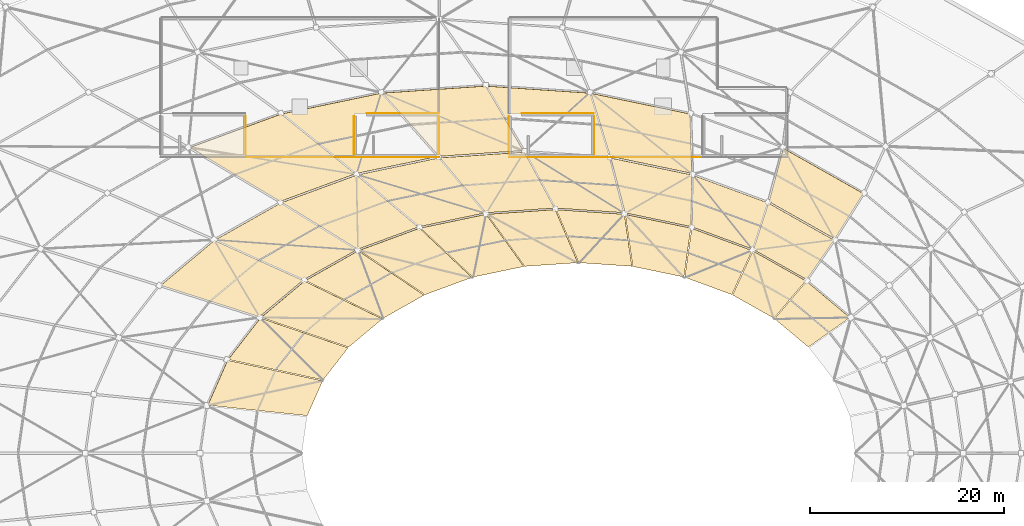
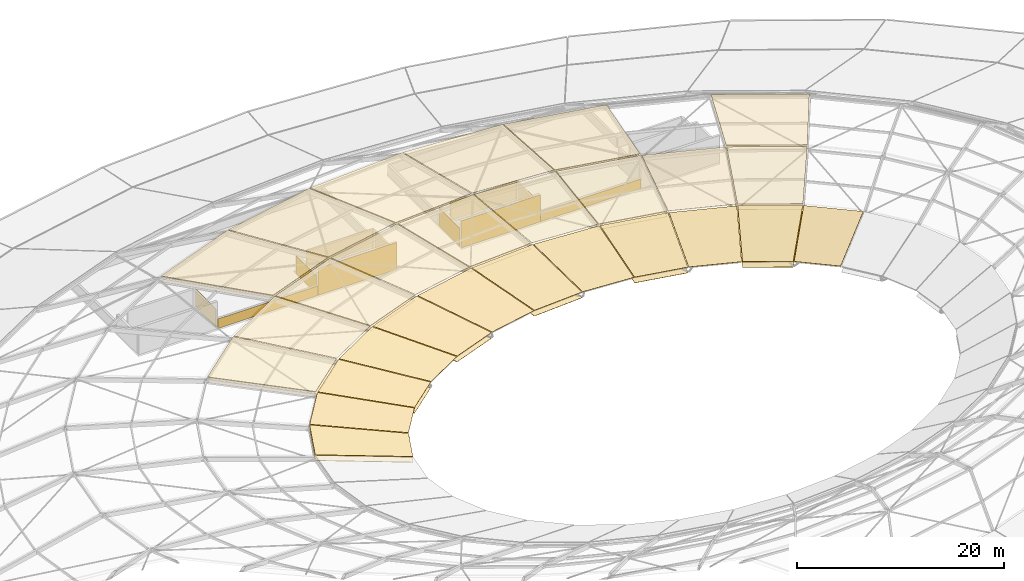
# One storey, part 27 of 30: 53 coverings.
"""IFC4 building model written with IfcOpenShell, lengths in metres."""

from ifc_helpers import new_model, si_unit, direction, frame, origin, origin_2d, place, context, subcontext, project, spatial, polyline, rectangle, outline, extrude, material, layer, layer_set, type_object, element, save


model = new_model("IFC4")

# Units and contexts
model_context = context("Model", 3, precision=1e-05, world=origin(), true_north=direction((0.0, 1.0)))
body_context = subcontext(model_context, "Body", "Model", "MODEL_VIEW")
ifc_project = project(units=[si_unit("LENGTHUNIT", "METRE"), si_unit("AREAUNIT", "SQUARE_METRE"), si_unit("VOLUMEUNIT", "CUBIC_METRE"), si_unit("PLANEANGLEUNIT", "RADIAN"), si_unit("MASSUNIT", "GRAM", prefix="KILO")], contexts=[model_context])

# Site, building, storey
site_placement = place(None, origin())
site = spatial("IfcSite", under=ifc_project, at=site_placement, CompositionType="ELEMENT")
building_placement = place(site_placement, origin())
building = spatial("IfcBuilding", under=site, at=building_placement, Name="Namkhue Oval Health Centre", CompositionType="ELEMENT")
storey_placement = place(building_placement, frame((0.0, 0.0, 26.39990234375)))
storey = spatial("IfcBuildingStorey", under=building, at=storey_placement, Name="RF", CompositionType="ELEMENT", Elevation=26.39990234375)

# Coverings
ifc_material_1 = material(Name="Slatted FSC timber acoustic soffit lining", Category="wood")
ifc_layer_1 = layer(ifc_material_1, 0.0400390625)
ifc_layer_set_1 = layer_set([ifc_layer_1], Name="Slatted FSC timber acoustic soffit lining")
covering_type_1 = type_object("IfcCoveringType", Name="SLATTED TIMBER SOFFIT CEILING 40", PredefinedType="CEILING", material=ifc_layer_set_1)
covering_1_placement = place(storey_placement, frame((130.218994140625, 86.230712890625, 6.9677734375), z_axis=(-0.177120247478, -0.313918087292, 0.932782853833), x_axis=(-0.87092771397, 0.491411148655, 4.19779e-06)))
element("IfcCovering", 1, at=covering_1_placement, inside=storey, type_object=covering_type_1, Name="Gridshell Canopy Slatted Timber Soffit K3-5", PredefinedType="CEILING", context=body_context, shape_type="SweptSolid", body=[
    extrude(outline(polyline([(0.0, 0.0), (9.51050980726129, -4.440892098500626e-16), (8.086536940117751, 5.924133848578663), (0.2538809483504548, 5.923931864339726), (0.0, 0.0)])), origin(), (0.0, 0.0, -1.0), 0.0400390625),
])
covering_2_placement = place(storey_placement, frame((112.321533203125, 94.44384765625, 6.9697265625), z_axis=(-0.068884426187, -0.330295197795, 0.941360726896), x_axis=(-0.978935809283, 0.204168267118, 2.5141e-06)))
element("IfcCovering", 2, at=covering_2_placement, inside=storey, type_object=covering_type_1, Name="Gridshell Canopy Slatted Timber Soffit K3-7", PredefinedType="CEILING", context=body_context, shape_type="SweptSolid", body=[
    extrude(outline(polyline([(0.0, 0.0), (10.479783284883998, 2.220446049250313e-16), (7.187230998112343, 6.340150402116963), (-1.4410200372893431, 6.340008021388163), (0.0, 0.0)])), origin(), (0.0, 0.0, -1.0), 0.0400390625),
])
covering_3_placement = place(storey_placement, frame((91.2021484375, 97.330078125, 6.973388671875), z_axis=(0.020032232495, -0.295824655907, 0.95503218931), x_axis=(-0.997715556857, -0.067554922842, 2.155105e-06)))
element("IfcCovering", 3, at=covering_3_placement, inside=storey, type_object=covering_type_1, Name="Gridshell Canopy Slatted Timber Soffit K3-9", PredefinedType="CEILING", context=body_context, shape_type="SweptSolid", body=[
    extrude(outline(polyline([(0.0, 0.0), (10.690192137254291, 0.0), (5.3506213840365, 7.239394380992895), (-3.4436481667676104, 7.239252759578612), (0.0, 0.0)])), origin(), (0.0, 0.0, -1.0), 0.0400390625),
])
covering_4_placement = place(storey_placement, frame((70.072509765625, 94.441650390625, 6.977783203125), z_axis=(0.085348140534, -0.232248018489, 0.96890482134), x_axis=(-0.938623823003, -0.344942486343, -2.488367e-06)))
element("IfcCovering", 4, at=covering_4_placement, inside=storey, type_object=covering_type_1, Name="Gridshell Canopy Slatted Timber Soffit K3-11", PredefinedType="CEILING", context=body_context, shape_type="SweptSolid", body=[
    extrude(outline(polyline([(0.0, 0.0), (10.06450008864426, 4.440892098500626e-16), (3.229093082578548, 8.711462279943664), (-5.042433795041574, 8.71164667990759), (0.0, 0.0)])), origin(), (0.0, 0.0, -1.0), 0.0400390625),
])
covering_5_placement = place(storey_placement, frame((127.19482421875, 81.41015625, 4.75), z_axis=(-0.273012324209, -0.483892068631, 0.831452185484), x_axis=(-0.870937658911, 0.491393522808, 5.669313e-06)))
element("IfcCovering", 5, at=covering_5_placement, inside=storey, type_object=covering_type_1, Name="Gridshell Canopy Slatted Timber Soffit K4-5", PredefinedType="CEILING", context=body_context, shape_type="SweptSolid", body=[
    extrude(outline(polyline([(0.0, 0.0), (7.785324243981882, 0.0), (6.78247193422041, 5.939281923158651), (0.4560301007518134, 5.9391379264789474), (0.0, 0.0)])), origin(), (0.0, 0.0, -1.0), 0.0400390625),
])
covering_6_placement = place(storey_placement, frame((112.515380859375, 88.142333984375, 4.752197265625), z_axis=(-0.1088721832, -0.522035672835, 0.845946572789), x_axis=(-0.978936163651, 0.204166567982, 3.917904e-06)))
element("IfcCovering", 6, at=covering_6_placement, inside=storey, type_object=covering_type_1, Name="Gridshell Canopy Slatted Timber Soffit K4-7", PredefinedType="CEILING", context=body_context, shape_type="SweptSolid", body=[
    extrude(outline(polyline([(0.0, 0.0), (8.580897430314359, 2.220446049250313e-16), (5.984340114803606, 6.196180492113777), (-0.9876888115521887, 6.196066225170458), (0.0, 0.0)])), origin(), (0.0, 0.0, -1.0), 0.0400390625),
])
covering_7_placement = place(storey_placement, frame((95.196044921875, 90.505859375, 4.756591796875), z_axis=(0.032712777374, -0.483184421132, 0.874907246153), x_axis=(-0.997715629729, -0.067553846542, -3.334021e-06)))
element("IfcCovering", 7, at=covering_7_placement, inside=storey, type_object=covering_type_1, Name="Gridshell Canopy Slatted Timber Soffit K4-9", PredefinedType="CEILING", context=body_context, shape_type="SweptSolid", body=[
    extrude(outline(polyline([(0.0, 0.0), (8.752906125914095, 1.1102230246251565e-16), (4.387007781220385, 6.840880624111212), (-2.7197954161750095, 6.840989807741197), (0.0, 0.0)])), origin(), (0.0, 0.0, -1.0), 0.0400390625),
])
covering_8_placement = place(storey_placement, frame((77.869140625, 88.13427734375, 4.762451171875), z_axis=(0.144085156752, -0.392073475259, 0.908580132736), x_axis=(-0.938625044454, -0.34493916264, 4.84726e-07)))
element("IfcCovering", 8, at=covering_8_placement, inside=storey, type_object=covering_type_1, Name="Gridshell Canopy Slatted Timber Soffit K4-11", PredefinedType="CEILING", context=body_context, shape_type="SweptSolid", body=[
    extrude(outline(polyline([(0.0, 0.0), (8.238550173627328, 0.0), (2.5613721926368394, 7.959358227829275), (-4.120719610712081, 7.959340913394452), (0.0, 0.0)])), origin(), (0.0, 0.0, -1.0), 0.0400390625),
])
covering_9_placement = place(storey_placement, frame((63.17578125, 81.383056640625, 4.768798828125), z_axis=(0.222641317726, -0.265768964512, 0.937975320114), x_axis=(-0.766555549199, -0.642178004897, -4.313344e-06)))
element("IfcCovering", 9, at=covering_9_placement, inside=storey, type_object=covering_type_1, Name="Gridshell Canopy Slatted Timber Soffit K4-13", PredefinedType="CEILING", context=body_context, shape_type="SweptSolid", body=[
    extrude(outline(polyline([(0.0, 0.0), (7.25108185449608, -4.440892098500626e-16), (1.517844104443117, 9.626121253644804), (-4.357211297351018, 9.626284556832964), (0.0, 0.0)])), origin(), (0.0, 0.0, -1.0), 0.0400390625),
])
covering_10_placement = place(storey_placement, frame((124.27734375, 77.212646484375, 1.3525390625), z_axis=(-0.259426949455, -0.459795764264, 0.849285295447), x_axis=(-0.870939596554, 0.491390088526, -7.207693e-06)))
element("IfcCovering", 10, at=covering_10_placement, inside=storey, type_object=covering_type_1, Name="Gridshell Canopy Slatted Timber Soffit K5-5", PredefinedType="CEILING", context=body_context, shape_type="SweptSolid", body=[
    extrude(outline(polyline([(0.0, 0.0), (6.283046673992098, 0.0), (5.871463940375432, 5.88129795506272), (0.9739275184778707, 5.881450599490744), (0.0, 0.0)])), origin(), (0.0, 0.0, -1.0), 0.0400390625),
])
covering_11_placement = place(storey_placement, frame((112.400146484375, 82.65576171875, 1.353271484375), z_axis=(-0.106180582631, -0.509149746942, 0.854103166521), x_axis=(-0.978938842083, 0.204153725072, 6.09815e-07)))
element("IfcCovering", 11, at=covering_11_placement, inside=storey, type_object=covering_type_1, Name="Gridshell Canopy Slatted Timber Soffit K5-7", PredefinedType="CEILING", context=body_context, shape_type="SweptSolid", body=[
    extrude(outline(polyline([(0.0, 0.0), (6.927642989434663, 0.0), (5.071703402180562, 5.972748996219179), (-0.3289017852542681, 5.972734541512029), (0.0, 0.0)])), origin(), (0.0, 0.0, -1.0), 0.0400390625),
])
covering_12_placement = place(storey_placement, frame((98.388916015625, 84.565185546875, 1.356689453125), z_axis=(0.032661854218, -0.482480760248, 0.875297389046), x_axis=(-0.997716463881, -0.067541525756, -2.47917e-07)))
element("IfcCovering", 12, at=covering_12_placement, inside=storey, type_object=covering_type_1, Name="Gridshell Canopy Slatted Timber Soffit K5-9", PredefinedType="CEILING", context=body_context, shape_type="SweptSolid", body=[
    extrude(outline(polyline([(0.0, 0.0), (7.066674180483889, -5.551115123125783e-17), (3.546631487262027, 6.437412327466541), (-1.9586152774140098, 6.437418772644493), (0.0, 0.0)])), origin(), (0.0, 0.0, -1.0), 0.0400390625),
])
covering_13_placement = place(storey_placement, frame((84.370849609375, 82.64501953125, 1.36181640625), z_axis=(0.146790671286, -0.399453773691, 0.904924959048), x_axis=(-0.938628352387, -0.34493016118, -1.954425e-06)))
element("IfcCovering", 13, at=covering_13_placement, inside=storey, type_object=covering_type_1, Name="Gridshell Canopy Slatted Timber Soffit K5-11", PredefinedType="CEILING", context=body_context, shape_type="SweptSolid", body=[
    extrude(outline(polyline([(0.0, 0.0), (6.649030885300507, 2.220446049250313e-16), (1.8521442727049306, 7.33962207953809), (-3.321296273447359, 7.33967637395152), (0.0, 0.0)])), origin(), (0.0, 0.0, -1.0), 0.0400390625),
])
covering_14_placement = place(storey_placement, frame((72.48291015625, 77.181396484375, 1.367919921875), z_axis=(0.230358929136, -0.274986653795, 0.933443680145), x_axis=(-0.76656977037, -0.642161028991, 5.12993e-07)))
element("IfcCovering", 14, at=covering_14_placement, inside=storey, type_object=covering_type_1, Name="Gridshell Canopy Slatted Timber Soffit K5-13", PredefinedType="CEILING", context=body_context, shape_type="SweptSolid", body=[
    extrude(outline(polyline([(0.0, 0.0), (5.849923167782908, 0.0), (0.8937994958497673, 8.740699406104671), (-3.651306044808486, 8.740684540689616), (0.0, 0.0)])), origin(), (0.0, 0.0, -1.0), 0.0400390625),
])
covering_15_placement = place(storey_placement, frame((64.54345703125, 69.003173828125, 1.37255859375), z_axis=(0.278693697813, -0.122959890277, 0.952476082735), x_axis=(-0.40366984771, -0.91490472402, 3.840594e-06)))
element("IfcCovering", 15, at=covering_15_placement, inside=storey, type_object=covering_type_1, Name="Gridshell Canopy Slatted Timber Soffit K5-15", PredefinedType="CEILING", context=body_context, shape_type="SweptSolid", body=[
    extrude(outline(polyline([(0.0, 0.0), (5.079723969084622, -2.220446049250313e-16), (1.9234774112954125, 10.32465123363441), (-2.0188864705533933, 10.324537482295765), (0.0, 0.0)])), origin(), (0.0, 0.0, -1.0), 0.0400390625),
])
ifc_material_2 = material(Name="Standing-seam aluminium-zinc insulated roofing", Category="aluminium")
ifc_layer_2 = layer(ifc_material_2, 0.044921875)
ifc_layer_set_2 = layer_set([ifc_layer_2], Name="Standing-seam aluminium-zinc insulated roofing")
covering_type_2 = type_object("IfcCoveringType", Name="STANDING SEAM ROOFING 45", PredefinedType="ROOFING", material=ifc_layer_set_2)
covering_16_placement = place(storey_placement, frame((130.218994140625, 86.230712890625, 7.629638671875), z_axis=(-0.177102626519, -0.313886856885, 0.932796709232), x_axis=(-0.870927713811, 0.491411148936, 4.197434e-06)))
element("IfcCovering", 16, at=covering_16_placement, inside=storey, type_object=covering_type_2, Name="Elliptical Gridshell Standing Seam Roofing K3-5", PredefinedType="ROOFING", context=body_context, shape_type="SweptSolid", body=[
    extrude(outline(polyline([(0.0, 0.0), (9.510509807261311, -4.440892098500626e-16), (8.086536940117734, 5.924045856594458), (0.25388094835049246, 5.92384386935528), (0.0, 0.0)])), origin(), (0.0, 0.0, -1.0), 0.044921875),
])
covering_17_placement = place(storey_placement, frame((112.321533203125, 94.44384765625, 7.6318359375), z_axis=(-0.068891392796, -0.33032860212, 0.94134849584), x_axis=(-0.97893580932, 0.20416826694, 2.514322e-06)))
element("IfcCovering", 17, at=covering_17_placement, inside=storey, type_object=covering_type_2, Name="Elliptical Gridshell Standing Seam Roofing K3-7", PredefinedType="ROOFING", context=body_context, shape_type="SweptSolid", body=[
    extrude(outline(polyline([(0.0, 0.0), (10.47978328488399, 2.220446049250313e-16), (7.187230998112348, 6.340232779075505), (-1.4410200372893593, 6.340090400196652), (0.0, 0.0)])), origin(), (0.0, 0.0, -1.0), 0.044921875),
])
covering_18_placement = place(storey_placement, frame((101.969970703125, 96.601318359375, 7.633544921875), z_axis=(-0.021522432169, -0.317903842789, 0.947878648168), x_axis=(-0.997716498183, 0.067541019021, -1.831631e-06)))
element("IfcCovering", 18, at=covering_18_placement, inside=storey, type_object=covering_type_2, Name="Elliptical Gridshell Standing Seam Roofing K3-8", PredefinedType="ROOFING", context=body_context, shape_type="SweptSolid", body=[
    extrude(outline(polyline([(0.0, 0.0), (10.692384384487783, 0.0), (6.356193258122295, 6.725042088609099), (-2.4439387744621754, 6.725154139944999), (0.0, 0.0)])), origin(), (0.0, 0.0, -1.0), 0.044921875),
])
covering_19_placement = place(storey_placement, frame((91.2021484375, 97.330078125, 7.635498046875), z_axis=(0.020034310618, -0.295855344444, 0.955022639293), x_axis=(-0.997715556848, -0.067554922981, 2.155307e-06)))
element("IfcCovering", 19, at=covering_19_placement, inside=storey, type_object=covering_type_2, Name="Elliptical Gridshell Standing Seam Roofing K3-9", PredefinedType="ROOFING", context=body_context, shape_type="SweptSolid", body=[
    extrude(outline(polyline([(0.0, 0.0), (10.690192137254286, 1.1102230246251565e-16), (5.350621384036503, 7.239466772575852), (-3.443648166767624, 7.239325152577738), (0.0, 0.0)])), origin(), (0.0, 0.0, -1.0), 0.044921875),
])
covering_20_placement = place(storey_placement, frame((80.431640625, 96.60107421875, 7.6376953125), z_axis=(0.055615872414, -0.266680895987, 0.962178868221), x_axis=(-0.978940117668, -0.204147608395, 2.433606e-06)))
element("IfcCovering", 20, at=covering_20_placement, inside=storey, type_object=covering_type_2, Name="Elliptical Gridshell Standing Seam Roofing K3-10", PredefinedType="ROOFING", context=body_context, shape_type="SweptSolid", body=[
    extrude(outline(polyline([(0.0, 0.0), (10.473748260753041, 0.0), (4.265653118030266, 7.896430032824828), (-4.346415050667734, 7.896259532778406), (0.0, 0.0)])), origin(), (0.0, 0.0, -1.0), 0.044921875),
])
covering_21_placement = place(storey_placement, frame((70.072509765625, 94.441650390625, 7.639892578125), z_axis=(0.085348140534, -0.232248018489, 0.96890482134), x_axis=(-0.938623823003, -0.344942486343, -2.488367e-06)))
element("IfcCovering", 21, at=covering_21_placement, inside=storey, type_object=covering_type_2, Name="Elliptical Gridshell Standing Seam Roofing K3-11", PredefinedType="ROOFING", context=body_context, shape_type="SweptSolid", body=[
    extrude(outline(polyline([(0.0, 0.0), (10.06450008864426, 4.440892098500626e-16), (3.229093082578548, 8.711462279943664), (-5.042433795041574, 8.71164667990759), (0.0, 0.0)])), origin(), (0.0, 0.0, -1.0), 0.044921875),
])
covering_22_placement = place(storey_placement, frame((127.19482421875, 81.41015625, 5.4169921875), z_axis=(-0.273012324209, -0.483892068631, 0.831452185484), x_axis=(-0.870937658911, 0.491393522808, 5.669313e-06)))
element("IfcCovering", 22, at=covering_22_placement, inside=storey, type_object=covering_type_2, Name="Elliptical Gridshell Standing Seam Roofing K4-5", PredefinedType="ROOFING", context=body_context, shape_type="SweptSolid", body=[
    extrude(outline(polyline([(0.0, 0.0), (7.785324243981882, 0.0), (6.78247193422041, 5.939281923158651), (0.4560301007518134, 5.9391379264789474), (0.0, 0.0)])), origin(), (0.0, 0.0, -1.0), 0.044921875),
])
covering_23_placement = place(storey_placement, frame((120.337890625, 85.272216796875, 5.417724609375), z_axis=(-0.189065933448, -0.514507881399, 0.836382515831), x_axis=(-0.938631755363, 0.344920900821, 1.474134e-06)))
element("IfcCovering", 23, at=covering_23_placement, inside=storey, type_object=covering_type_2, Name="Elliptical Gridshell Standing Seam Roofing K4-6", PredefinedType="ROOFING", context=body_context, shape_type="SweptSolid", body=[
    extrude(outline(polyline([(0.0, 0.0), (8.246037850297384, 4.440892098500626e-16), (6.5050167853470775, 6.022624898642333), (-0.19599300016887042, 6.022584701418643), (0.0, 0.0)])), origin(), (0.0, 0.0, -1.0), 0.044921875),
])
covering_24_placement = place(storey_placement, frame((112.515380859375, 88.142333984375, 5.419189453125), z_axis=(-0.1088721832, -0.522035672835, 0.845946572789), x_axis=(-0.978936163651, 0.204166567982, 3.917904e-06)))
element("IfcCovering", 24, at=covering_24_placement, inside=storey, type_object=covering_type_2, Name="Elliptical Gridshell Standing Seam Roofing K4-7", PredefinedType="ROOFING", context=body_context, shape_type="SweptSolid", body=[
    extrude(outline(polyline([(0.0, 0.0), (8.580897430314359, 2.220446049250313e-16), (5.984340114803606, 6.196180492113777), (-0.9876888115521887, 6.196066225170458), (0.0, 0.0)])), origin(), (0.0, 0.0, -1.0), 0.044921875),
])
covering_25_placement = place(storey_placement, frame((104.026123046875, 89.909912109375, 5.421142578125), z_axis=(-0.034559495588, -0.510449260463, 0.859213124759), x_axis=(-0.997716461336, 0.067541563189, -4.698094e-06)))
element("IfcCovering", 25, at=covering_25_placement, inside=storey, type_object=covering_type_2, Name="Elliptical Gridshell Standing Seam Roofing K4-8", PredefinedType="ROOFING", context=body_context, shape_type="SweptSolid", body=[
    extrude(outline(polyline([(0.0, 0.0), (8.755098373087911, -1.1102230246251565e-16), (5.2586157075549265, 6.465921543600573), (-1.8528485492051936, 6.466067243359532), (0.0, 0.0)])), origin(), (0.0, 0.0, -1.0), 0.044921875),
])
covering_26_placement = place(storey_placement, frame((95.196044921875, 90.505859375, 5.423583984375), z_axis=(0.032712777374, -0.483184421132, 0.874907246153), x_axis=(-0.997715629729, -0.067553846542, -3.334021e-06)))
element("IfcCovering", 26, at=covering_26_placement, inside=storey, type_object=covering_type_2, Name="Elliptical Gridshell Standing Seam Roofing K4-9", PredefinedType="ROOFING", context=body_context, shape_type="SweptSolid", body=[
    extrude(outline(polyline([(0.0, 0.0), (8.752906125914095, 1.1102230246251565e-16), (4.387007781220385, 6.840880624111212), (-2.7197954161750095, 6.840989807741197), (0.0, 0.0)])), origin(), (0.0, 0.0, -1.0), 0.044921875),
])
covering_27_placement = place(storey_placement, frame((86.36376953125, 89.906494140625, 5.42626953125), z_axis=(0.09237332991, -0.44294963842, 0.891775075759), x_axis=(-0.978940994098, -0.204143405636, 3.130495e-06)))
element("IfcCovering", 27, at=covering_27_placement, inside=storey, type_object=covering_type_2, Name="Elliptical Gridshell Standing Seam Roofing K4-10", PredefinedType="ROOFING", context=body_context, shape_type="SweptSolid", body=[
    extrude(outline(polyline([(0.0, 0.0), (8.574862406855681, 0.0), (3.4514860961855125, 7.333755671917631), (-3.5070886339701612, 7.333648203161249), (0.0, 0.0)])), origin(), (0.0, 0.0, -1.0), 0.044921875),
])
covering_28_placement = place(storey_placement, frame((77.869140625, 88.13427734375, 5.429443359375), z_axis=(0.144085156752, -0.392073475259, 0.908580132736), x_axis=(-0.938625044454, -0.34493916264, 4.84726e-07)))
element("IfcCovering", 28, at=covering_28_placement, inside=storey, type_object=covering_type_2, Name="Elliptical Gridshell Standing Seam Roofing K4-11", PredefinedType="ROOFING", context=body_context, shape_type="SweptSolid", body=[
    extrude(outline(polyline([(0.0, 0.0), (8.238550173627328, 0.0), (2.5613721926368394, 7.959358227829275), (-4.120719610712081, 7.959340913394452), (0.0, 0.0)])), origin(), (0.0, 0.0, -1.0), 0.044921875),
])
covering_29_placement = place(storey_placement, frame((70.0390625, 85.25634765625, 5.432861328125), z_axis=(0.187574327561, -0.33244805514, 0.924280348311), x_axis=(-0.870930821092, -0.491405641873, -2.798726e-06)))
element("IfcCovering", 29, at=covering_29_placement, inside=storey, type_object=covering_type_2, Name="Elliptical Gridshell Standing Seam Roofing K4-12", PredefinedType="ROOFING", context=body_context, shape_type="SweptSolid", body=[
    extrude(outline(polyline([(0.0, 0.0), (7.77920672767691, 0.0), (1.8574111420361454, 8.727190143438532), (-4.448922474759537, 8.727293418481999), (0.0, 0.0)])), origin(), (0.0, 0.0, -1.0), 0.044921875),
])
covering_30_placement = place(storey_placement, frame((63.17578125, 81.383056640625, 5.435791015625), z_axis=(0.222641317726, -0.265768964512, 0.937975320114), x_axis=(-0.766555549199, -0.642178004897, -4.313344e-06)))
element("IfcCovering", 30, at=covering_30_placement, inside=storey, type_object=covering_type_2, Name="Elliptical Gridshell Standing Seam Roofing K4-13", PredefinedType="ROOFING", context=body_context, shape_type="SweptSolid", body=[
    extrude(outline(polyline([(0.0, 0.0), (7.25108185449608, -4.440892098500626e-16), (1.517844104443117, 9.626121253644804), (-4.357211297351018, 9.626284556832964), (0.0, 0.0)])), origin(), (0.0, 0.0, -1.0), 0.044921875),
])
covering_31_placement = place(storey_placement, frame((128.833740234375, 73.406982421875, 2.025146484375), z_axis=(-0.334473177388, -0.39925522215, 0.853652716972), x_axis=(-0.766559330001, 0.642173491807, -2.828587e-06)))
element("IfcCovering", 31, at=covering_31_placement, inside=storey, type_object=covering_type_2, Name="Elliptical Gridshell Standing Seam Roofing K5-4", PredefinedType="ROOFING", context=body_context, shape_type="SweptSolid", body=[
    extrude(outline(polyline([(0.0, 0.0), (5.852861746534911, 0.0), (5.898410455720819, 5.963767836173913), (1.3382377210560341, 5.963824387183981), (0.0, 0.0)])), origin(), (0.0, 0.0, -1.0), 0.044921875),
])
covering_32_placement = place(storey_placement, frame((124.27734375, 77.212646484375, 2.024658203125), z_axis=(-0.259426949455, -0.459795764264, 0.849285295447), x_axis=(-0.870939596554, 0.491390088526, -7.207693e-06)))
element("IfcCovering", 32, at=covering_32_placement, inside=storey, type_object=covering_type_2, Name="Elliptical Gridshell Standing Seam Roofing K5-5", PredefinedType="ROOFING", context=body_context, shape_type="SweptSolid", body=[
    extrude(outline(polyline([(0.0, 0.0), (6.283046673992098, 0.0), (5.871463940375432, 5.88129795506272), (0.9739275184778707, 5.881450599490744), (0.0, 0.0)])), origin(), (0.0, 0.0, -1.0), 0.044921875),
])
covering_33_placement = place(storey_placement, frame((118.72900390625, 80.335205078125, 2.024658203125), z_axis=(-0.182061751802, -0.4954560084, 0.849339073792), x_axis=(-0.938632315303, 0.344919377033, 3.925573e-06)))
element("IfcCovering", 33, at=covering_33_placement, inside=storey, type_object=covering_type_2, Name="Elliptical Gridshell Standing Seam Roofing K5-6", PredefinedType="ROOFING", context=body_context, shape_type="SweptSolid", body=[
    extrude(outline(polyline([(0.0, 0.0), (6.656289404918644, 0.0), (5.58634134608475, 5.88238371441053), (0.39706955027264773, 5.882295619652198), (0.0, 0.0)])), origin(), (0.0, 0.0, -1.0), 0.044921875),
])
covering_34_placement = place(storey_placement, frame((112.400146484375, 82.65576171875, 2.025390625), z_axis=(-0.106180582631, -0.509149746942, 0.854103166521), x_axis=(-0.978938842083, 0.204153725072, 6.09815e-07)))
element("IfcCovering", 34, at=covering_34_placement, inside=storey, type_object=covering_type_2, Name="Elliptical Gridshell Standing Seam Roofing K5-7", PredefinedType="ROOFING", context=body_context, shape_type="SweptSolid", body=[
    extrude(outline(polyline([(0.0, 0.0), (6.927642989434663, 0.0), (5.071703402180562, 5.972748996219179), (-0.3289017852542681, 5.972734541512029), (0.0, 0.0)])), origin(), (0.0, 0.0, -1.0), 0.044921875),
])
covering_35_placement = place(storey_placement, frame((105.532470703125, 84.084228515625, 2.026611328125), z_axis=(-0.034127282702, -0.503938691591, 0.863064959139), x_axis=(-0.99771535085, 0.067557965136, -4.914203e-06)))
element("IfcCovering", 35, at=covering_35_placement, inside=storey, type_object=covering_type_2, Name="Elliptical Gridshell Standing Seam Roofing K5-8", PredefinedType="ROOFING", context=body_context, shape_type="SweptSolid", body=[
    extrude(outline(polyline([(0.0, 0.0), (7.068882918743244, 5.551115123125783e-17), (4.371797061318836, 6.155519390485666), (-1.1373800153116012, 6.1556417662729), (0.0, 0.0)])), origin(), (0.0, 0.0, -1.0), 0.044921875),
])
covering_36_placement = place(storey_placement, frame((98.388916015625, 84.565185546875, 2.028564453125), z_axis=(0.032661854218, -0.482480760248, 0.875297389046), x_axis=(-0.997716463881, -0.067541525756, -2.47917e-07)))
element("IfcCovering", 36, at=covering_36_placement, inside=storey, type_object=covering_type_2, Name="Elliptical Gridshell Standing Seam Roofing K5-9", PredefinedType="ROOFING", context=body_context, shape_type="SweptSolid", body=[
    extrude(outline(polyline([(0.0, 0.0), (7.066674180483889, -5.551115123125783e-17), (3.546631487262027, 6.437412327466541), (-1.9586152774140098, 6.437418772644493), (0.0, 0.0)])), origin(), (0.0, 0.0, -1.0), 0.044921875),
])
covering_37_placement = place(storey_placement, frame((91.243408203125, 84.07958984375, 2.031005859375), z_axis=(0.093226604943, -0.447007761028, 0.889658845689), x_axis=(-0.978938301872, -0.204156315383, 4.087963e-06)))
element("IfcCovering", 37, at=covering_37_placement, inside=storey, type_object=covering_type_2, Name="Elliptical Gridshell Standing Seam Roofing K5-10", PredefinedType="ROOFING", context=body_context, shape_type="SweptSolid", body=[
    extrude(outline(polyline([(0.0, 0.0), (6.92165780849591, 0.0), (2.6736991710872084, 6.828196576741758), (-2.715463494583847, 6.828086363561005), (0.0, 0.0)])), origin(), (0.0, 0.0, -1.0), 0.044921875),
])
covering_38_placement = place(storey_placement, frame((84.370849609375, 82.64501953125, 2.03369140625), z_axis=(0.146781275644, -0.399428205821, 0.904937768863), x_axis=(-0.938628352346, -0.34493016129, -1.954328e-06)))
element("IfcCovering", 38, at=covering_38_placement, inside=storey, type_object=covering_type_2, Name="Elliptical Gridshell Standing Seam Roofing K5-11", PredefinedType="ROOFING", context=body_context, shape_type="SweptSolid", body=[
    extrude(outline(polyline([(0.0, 0.0), (6.649030885300509, -2.220446049250313e-16), (1.8521442727049302, 7.339518183532022), (-3.321296273447353, 7.339572478714024), (0.0, 0.0)])), origin(), (0.0, 0.0, -1.0), 0.044921875),
])
covering_39_placement = place(storey_placement, frame((78.035888671875, 80.31591796875, 2.036865234375), z_axis=(0.19269763234, -0.341532485424, 0.919903899269), x_axis=(-0.870943150522, -0.491383789443, 5.605045e-06)))
element("IfcCovering", 39, at=covering_39_placement, inside=storey, type_object=covering_type_2, Name="Elliptical Gridshell Standing Seam Roofing K5-12", PredefinedType="ROOFING", context=body_context, shape_type="SweptSolid", body=[
    extrude(outline(polyline([(0.0, 0.0), (6.2771417884429805, -4.440892098500626e-16), (1.2071400385779387, 7.9802376717066075), (-3.673559556448163, 7.9800781889154), (0.0, 0.0)])), origin(), (0.0, 0.0, -1.0), 0.044921875),
])
covering_40_placement = place(storey_placement, frame((72.48291015625, 77.181396484375, 2.039794921875), z_axis=(0.230358929136, -0.274986653795, 0.933443680145), x_axis=(-0.76656977037, -0.642161028991, 5.12993e-07)))
element("IfcCovering", 40, at=covering_40_placement, inside=storey, type_object=covering_type_2, Name="Elliptical Gridshell Standing Seam Roofing K5-13", PredefinedType="ROOFING", context=body_context, shape_type="SweptSolid", body=[
    extrude(outline(polyline([(0.0, 0.0), (5.849923167782908, 0.0), (0.8937994958497673, 8.740699406104671), (-3.651306044808486, 8.740684540689616), (0.0, 0.0)])), origin(), (0.0, 0.0, -1.0), 0.044921875),
])
covering_41_placement = place(storey_placement, frame((67.926513671875, 73.361572265625, 2.04248046875), z_axis=(0.259179915108, -0.201505857524, 0.944574592601), x_axis=(-0.613788371942, -0.789470603929, -1.411112e-06)))
element("IfcCovering", 41, at=covering_41_placement, inside=storey, type_object=covering_type_2, Name="Elliptical Gridshell Standing Seam Roofing K5-14", PredefinedType="ROOFING", context=body_context, shape_type="SweptSolid", body=[
    extrude(outline(polyline([(0.0, 0.0), (5.4266467080413126, 0.0), (1.0856290911033812, 9.567156543686364), (-3.1281893809375263, 9.567197981122431), (0.0, 0.0)])), origin(), (0.0, 0.0, -1.0), 0.044921875),
])
covering_42_placement = place(storey_placement, frame((64.54345703125, 69.003173828125, 2.044677734375), z_axis=(0.278713324515, -0.122968549594, 0.952469221838), x_axis=(-0.403669847552, -0.91490472409, 3.840837e-06)))
element("IfcCovering", 42, at=covering_42_placement, inside=storey, type_object=covering_type_2, Name="Elliptical Gridshell Standing Seam Roofing K5-15", PredefinedType="ROOFING", context=body_context, shape_type="SweptSolid", body=[
    extrude(outline(polyline([(0.0, 0.0), (5.0797239690846165, 2.220446049250313e-16), (1.9234774112954147, 10.32472560457958), (-2.018886470553408, 10.324611854060315), (0.0, 0.0)])), origin(), (0.0, 0.0, -1.0), 0.044921875),
])
ifc_material_3 = material(Name="White glass-fibre reinforced concrete GRC rainscreen cladding", Category="concrete")
ifc_layer_3 = layer(ifc_material_3, 0.02490234375)
ifc_layer_set_3 = layer_set([ifc_layer_3], Name="White glass-fibre reinforced concrete GRC rainscreen cladding")
covering_type_3 = type_object("IfcCoveringType", Name="WHITE GRC RAINSCREEN CLADDING 25", PredefinedType="CLADDING", material=ifc_layer_set_3)
for number, where, z_axis, x_axis, name in (
    (43, (72.0, 89.988037109375, 0.01025390625), (0.0, 0.0, 1.0), (-1.0, 0.0, 0.0), "Volume V2 RF Parapet 4 White GRC Cladding 1"),
    (44, (108.0, 89.988037109375, 0.01025390625), (0.0, 0.0, 1.0), (-1.0, 0.0, 0.0), "Volume V3 RF Parapet 6 White GRC Cladding 1"),
):
    element("IfcCovering", number, at=place(storey_placement, frame(where, z_axis=z_axis, x_axis=x_axis)), inside=storey, type_object=covering_type_3, Name=name, PredefinedType="CLADDING", context=body_context, shape_type="SweptSolid", body=[
        extrude(rectangle(XDim=11.156005859375, YDim=0.02490234375, at=origin_2d()), origin(), (0.0, 0.0, 1.0), 1.1298828125),
    ])
covering_43_placement = place(storey_placement, frame((66.412109375, 92.25, 0.01025390625), z_axis=(0.0, 0.0, 1.0), x_axis=(0.0, 1.0, 0.0)))
element("IfcCovering", 45, at=covering_43_placement, inside=storey, type_object=covering_type_3, Name="Core SC-03 RF Core E White GRC Cladding 1", PredefinedType="CLADDING", context=body_context, shape_type="SweptSolid", body=[
    extrude(rectangle(XDim=3.9599609375, YDim=0.02490234375, at=origin_2d()), origin(), (0.0, 0.0, 1.0), 2.1298828125),
])
covering_44_placement = place(storey_placement, frame((82.0, 89.988037109375, 0.01025390625), z_axis=(0.0, 0.0, 1.0), x_axis=(1.0, 0.0, 0.0)))
element("IfcCovering", 46, at=covering_44_placement, inside=storey, type_object=covering_type_3, Name="Core SC-04 RF Core S White GRC Cladding 1", PredefinedType="CLADDING", context=body_context, shape_type="SweptSolid", body=[
    extrude(rectangle(XDim=8.760009765625, YDim=0.02490234375, at=origin_2d()), origin(), (0.0, 0.0, 1.0), 3.179931640625),
])
covering_45_placement = place(storey_placement, frame((86.412109375, 92.25, 0.01025390625), z_axis=(0.0, 0.0, 1.0), x_axis=(0.0, 1.0, 0.0)))
element("IfcCovering", 47, at=covering_45_placement, inside=storey, type_object=covering_type_3, Name="Core SC-04 RF Core E White GRC Cladding 1", PredefinedType="CLADDING", context=body_context, shape_type="SweptSolid", body=[
    extrude(rectangle(XDim=3.9599609375, YDim=0.02490234375, at=origin_2d()), origin(), (0.0, 0.0, 1.0), 2.1298828125),
])
covering_46_placement = place(storey_placement, frame((82.64990234375, 94.511962890625, 0.01025390625), z_axis=(0.0, 0.0, 1.0), x_axis=(-1.0, 0.0, 0.0)))
element("IfcCovering", 48, at=covering_46_placement, inside=storey, type_object=covering_type_3, Name="Core SC-04 RF Core N White GRC Cladding 1", PredefinedType="CLADDING", context=body_context, shape_type="SweptSolid", body=[
    extrude(rectangle(XDim=7.4599609375, YDim=0.02490234375, at=origin_2d()), origin(), (0.0, 0.0, 1.0), 2.1298828125),
])
covering_47_placement = place(storey_placement, frame((77.587890625, 92.25, 0.01025390625), z_axis=(0.0, 0.0, 1.0), x_axis=(0.0, -1.0, 0.0)))
element("IfcCovering", 49, at=covering_47_placement, inside=storey, type_object=covering_type_3, Name="Core SC-04 RF Core W White GRC Cladding 1", PredefinedType="CLADDING", context=body_context, shape_type="SweptSolid", body=[
    extrude(rectangle(XDim=3.9599609375, YDim=0.02490234375, at=origin_2d()), origin(), (0.0, 0.0, 1.0), 2.1298828125),
])
covering_48_placement = place(storey_placement, frame((98.0, 89.988037109375, 0.01025390625), z_axis=(0.0, 0.0, 1.0), x_axis=(1.0, 0.0, 0.0)))
element("IfcCovering", 50, at=covering_48_placement, inside=storey, type_object=covering_type_3, Name="Core SC-05 RF Core S White GRC Cladding 1", PredefinedType="CLADDING", context=body_context, shape_type="SweptSolid", body=[
    extrude(rectangle(XDim=8.760009765625, YDim=0.02490234375, at=origin_2d()), origin(), (0.0, 0.0, 1.0), 3.179931640625),
])
covering_49_placement = place(storey_placement, frame((102.412109375, 92.25, 0.01025390625), z_axis=(0.0, 0.0, 1.0), x_axis=(0.0, 1.0, 0.0)))
element("IfcCovering", 51, at=covering_49_placement, inside=storey, type_object=covering_type_3, Name="Core SC-05 RF Core E White GRC Cladding 1", PredefinedType="CLADDING", context=body_context, shape_type="SweptSolid", body=[
    extrude(rectangle(XDim=3.9599609375, YDim=0.02490234375, at=origin_2d()), origin(), (0.0, 0.0, 1.0), 2.1298828125),
])
covering_50_placement = place(storey_placement, frame((98.64990234375, 94.511962890625, 0.01025390625), z_axis=(0.0, 0.0, 1.0), x_axis=(-1.0, 0.0, 0.0)))
element("IfcCovering", 52, at=covering_50_placement, inside=storey, type_object=covering_type_3, Name="Core SC-05 RF Core N White GRC Cladding 1", PredefinedType="CLADDING", context=body_context, shape_type="SweptSolid", body=[
    extrude(rectangle(XDim=7.4599609375, YDim=0.02490234375, at=origin_2d()), origin(), (0.0, 0.0, 1.0), 2.1298828125),
])
covering_51_placement = place(storey_placement, frame((93.587890625, 92.25, 0.01025390625), z_axis=(0.0, 0.0, 1.0), x_axis=(0.0, -1.0, 0.0)))
element("IfcCovering", 53, at=covering_51_placement, inside=storey, type_object=covering_type_3, Name="Core SC-05 RF Core W White GRC Cladding 1", PredefinedType="CLADDING", context=body_context, shape_type="SweptSolid", body=[
    extrude(rectangle(XDim=3.9599609375, YDim=0.02490234375, at=origin_2d()), origin(), (0.0, 0.0, 1.0), 2.1298828125),
])

save(model, "model.ifc")
